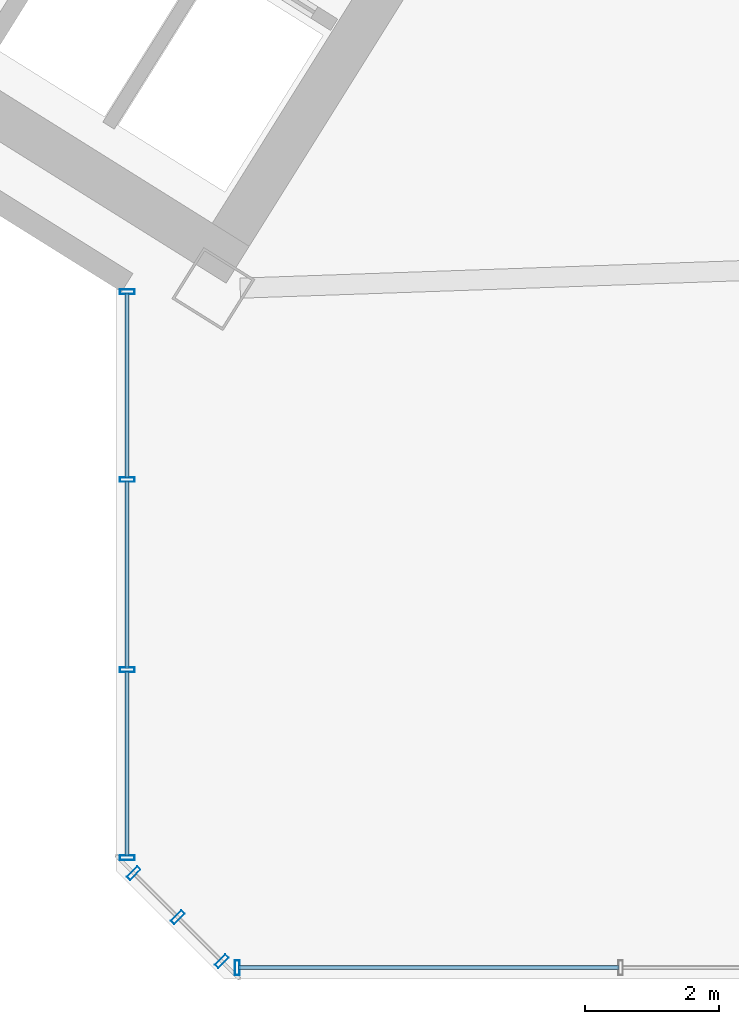
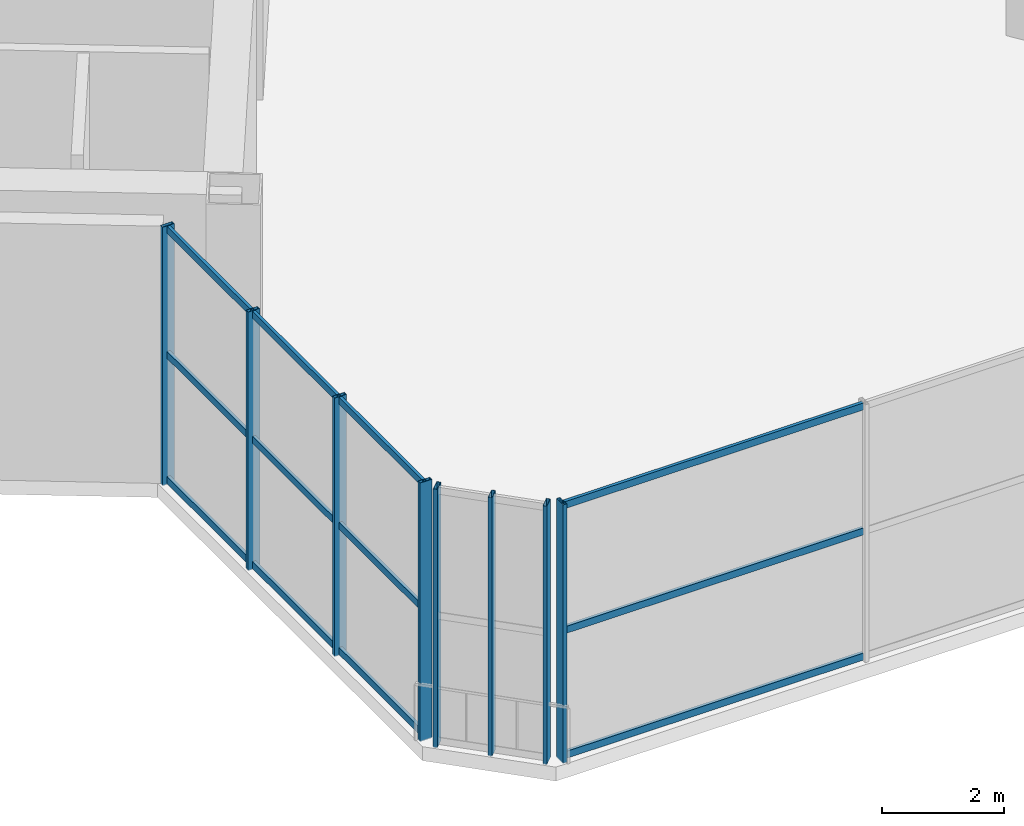
# One storey, part 4 of 21: 20 members, 3 elements without a shape of their own.
"""IFC4 building model written with IfcOpenShell, lengths in metres."""

from ifc_helpers import new_model, si_unit, direction, frame, origin, origin_2d, place, context, subcontext, project, spatial, hollow_rectangle, extrude, source, transform, mapped, material, material_profile, profile_set, type_object, element, aggregate, save


model = new_model("IFC4")

# Units and contexts
model_context = context("Model", 3, precision=1e-05, world=origin(), true_north=direction((0.0, 1.0)))
body_context = subcontext(model_context, "Body", "Model", "MODEL_VIEW")
ifc_project = project(units=[si_unit("LENGTHUNIT", "METRE"), si_unit("AREAUNIT", "SQUARE_METRE"), si_unit("VOLUMEUNIT", "CUBIC_METRE"), si_unit("PLANEANGLEUNIT", "RADIAN"), si_unit("MASSUNIT", "GRAM", prefix="KILO")], contexts=[model_context])

# Site, building, storey
site_placement = place(None, origin())
site = spatial("IfcSite", under=ifc_project, at=site_placement, CompositionType="ELEMENT")
building_placement = place(site_placement, origin())
building = spatial("IfcBuilding", under=site, at=building_placement, Name="Tlacorven Tower", CompositionType="ELEMENT")
storey_placement = place(building_placement, frame((0.0, 0.0, 84.60009765625)))
storey = spatial("IfcBuildingStorey", under=building, at=storey_placement, Name="L21", CompositionType="ELEMENT", Elevation=84.60009765625)

# Curtain wall, members
ifc_material_1 = material(Name="Dark solar low-E double glazing in aluminium frame", Category="aluminium")
curtain_wall_type = type_object("IfcCurtainWallType", Name="CW-TWR-LOW", PredefinedType="USERDEFINED", material=ifc_material_1)
curtain_wall_1_placement = place(storey_placement, origin())
curtain_wall_1 = element("IfcCurtainWall", 1, at=curtain_wall_1_placement, inside=storey, type_object=curtain_wall_type, Name="L21 CW-TWR-LOW Curtain Wall 112", ObjectType="UNITISED CURTAIN WALL", PredefinedType="USERDEFINED")
ifc_material_2 = material(Name="Aluminium 6063-T6 anodised", Category="aluminium")
ifc_material_profile_1 = material_profile(ifc_material_2, hollow_rectangle(XDim=0.06005859375, YDim=0.139892578125, WallThickness=0.00390625, at=origin_2d()), Name="ALU TRANSOM 60X140")
ifc_profile_set_1 = profile_set([ifc_material_profile_1], Name="Aluminium 6063-T6 anodised")
member_type_1 = type_object("IfcMemberType", Name="CWT-02", PredefinedType="USERDEFINED", material=ifc_profile_set_1)
shared_shape_1 = source(origin(), body_context, "Body", "SweptSolid", [
    extrude(hollow_rectangle(XDim=0.06005859375, YDim=0.139892578125, WallThickness=0.00390625, at=origin_2d()), origin(), (0.0, 0.0, 1.0), 5.6748046875),
])
member_1_placement = place(storey_placement, frame((39.09912109375, 1.9599609375, 0.06982421875), z_axis=(-1.0, 0.0, 0.0), x_axis=(0.0, -1.0, 0.0)))
member_1 = element("IfcMember", 2, at=member_1_placement, type_object=member_type_1, Name="CW-L21-112 Transom 7", ObjectType="TRANSOM", PredefinedType="USERDEFINED", context=body_context, shape_type="MappedRepresentation", body=[
    mapped(shared_shape_1, transform((0.0, 0.0, 0.0), scale=1.0)),
])
member_2_placement = place(storey_placement, frame((39.09912109375, 1.9599609375, 2.574951171875), z_axis=(-1.0, 0.0, 0.0), x_axis=(0.0, -1.0, 0.0)))
member_2 = element("IfcMember", 3, at=member_2_placement, type_object=member_type_1, Name="CW-L21-112 Transom 8", ObjectType="TRANSOM", PredefinedType="USERDEFINED", context=body_context, shape_type="MappedRepresentation", body=[
    mapped(shared_shape_1, transform((0.0, 0.0, 0.0), scale=1.0)),
])
member_3_placement = place(storey_placement, frame((39.09912109375, 1.9599609375, 5.079833984375), z_axis=(-1.0, 0.0, 0.0), x_axis=(0.0, -1.0, 0.0)))
member_3 = element("IfcMember", 4, at=member_3_placement, type_object=member_type_1, Name="CW-L21-112 Transom 9", ObjectType="TRANSOM", PredefinedType="USERDEFINED", context=body_context, shape_type="MappedRepresentation", body=[
    mapped(shared_shape_1, transform((0.0, 0.0, 0.0), scale=1.0)),
])

curtain_wall_2_placement = place(storey_placement, origin())
curtain_wall_2 = element("IfcCurtainWall", 5, at=curtain_wall_2_placement, inside=storey, type_object=curtain_wall_type, Name="L21 CW-TWR-LOW Curtain Wall 114", ObjectType="UNITISED CURTAIN WALL", PredefinedType="USERDEFINED")
shared_shape_2 = source(origin(), body_context, "Body", "SweptSolid", [
    extrude(hollow_rectangle(XDim=0.06005859375, YDim=0.139892578125, WallThickness=0.00390625, at=origin_2d()), origin(), (0.0, 0.0, 1.0), 2.7578125),
])
member_4_placement = place(storey_placement, frame((31.760009765625, 3.624267578125, 0.06982421875), z_axis=(0.0, 1.0, 0.0), x_axis=(-1.0, 0.0, 0.0)))
member_4 = element("IfcMember", 6, at=member_4_placement, type_object=member_type_1, Name="CW-L21-114 Transom 1", ObjectType="TRANSOM", PredefinedType="USERDEFINED", context=body_context, shape_type="MappedRepresentation", body=[
    mapped(shared_shape_2, transform((0.0, 0.0, 0.0), scale=1.0)),
])
member_5_placement = place(storey_placement, frame((31.760009765625, 3.624267578125, 2.574951171875), z_axis=(0.0, 1.0, 0.0), x_axis=(-1.0, 0.0, 0.0)))
member_5 = element("IfcMember", 7, at=member_5_placement, type_object=member_type_1, Name="CW-L21-114 Transom 2", ObjectType="TRANSOM", PredefinedType="USERDEFINED", context=body_context, shape_type="MappedRepresentation", body=[
    mapped(shared_shape_2, transform((0.0, 0.0, 0.0), scale=1.0)),
])
member_6_placement = place(storey_placement, frame((31.760009765625, 3.624267578125, 5.079833984375), z_axis=(0.0, 1.0, 0.0), x_axis=(-1.0, 0.0, 0.0)))
member_6 = element("IfcMember", 8, at=member_6_placement, type_object=member_type_1, Name="CW-L21-114 Transom 3", ObjectType="TRANSOM", PredefinedType="USERDEFINED", context=body_context, shape_type="MappedRepresentation", body=[
    mapped(shared_shape_2, transform((0.0, 0.0, 0.0), scale=1.0)),
])
shared_shape_3 = source(origin(), body_context, "Body", "SweptSolid", [
    extrude(hollow_rectangle(XDim=0.06005859375, YDim=0.139892578125, WallThickness=0.00390625, at=origin_2d()), origin(), (0.0, 0.0, 1.0), 2.79296875),
])
member_7_placement = place(storey_placement, frame((31.760009765625, 6.42822265625, 0.06982421875), z_axis=(0.0, 1.0, 0.0), x_axis=(-1.0, 0.0, 0.0)))
member_7 = element("IfcMember", 9, at=member_7_placement, type_object=member_type_1, Name="CW-L21-114 Transom 4", ObjectType="TRANSOM", PredefinedType="USERDEFINED", context=body_context, shape_type="MappedRepresentation", body=[
    mapped(shared_shape_3, transform((0.0, 0.0, 0.0), scale=1.0)),
])
member_8_placement = place(storey_placement, frame((31.760009765625, 6.42822265625, 2.574951171875), z_axis=(0.0, 1.0, 0.0), x_axis=(-1.0, 0.0, 0.0)))
member_8 = element("IfcMember", 10, at=member_8_placement, type_object=member_type_1, Name="CW-L21-114 Transom 5", ObjectType="TRANSOM", PredefinedType="USERDEFINED", context=body_context, shape_type="MappedRepresentation", body=[
    mapped(shared_shape_3, transform((0.0, 0.0, 0.0), scale=1.0)),
])
member_9_placement = place(storey_placement, frame((31.760009765625, 6.42822265625, 5.079833984375), z_axis=(0.0, 1.0, 0.0), x_axis=(-1.0, 0.0, 0.0)))
member_9 = element("IfcMember", 11, at=member_9_placement, type_object=member_type_1, Name="CW-L21-114 Transom 6", ObjectType="TRANSOM", PredefinedType="USERDEFINED", context=body_context, shape_type="MappedRepresentation", body=[
    mapped(shared_shape_3, transform((0.0, 0.0, 0.0), scale=1.0)),
])
shared_shape_4 = source(origin(), body_context, "Body", "SweptSolid", [
    extrude(hollow_rectangle(XDim=0.06005859375, YDim=0.139892578125, WallThickness=0.00390625, at=origin_2d()), origin(), (0.0, 0.0, 1.0), 2.758056640625),
])
member_10_placement = place(storey_placement, frame((31.760009765625, 9.26708984375, 0.06982421875), z_axis=(0.0, 1.0, 0.0), x_axis=(-1.0, 0.0, 0.0)))
member_10 = element("IfcMember", 12, at=member_10_placement, type_object=member_type_1, Name="CW-L21-114 Transom 7", ObjectType="TRANSOM", PredefinedType="USERDEFINED", context=body_context, shape_type="MappedRepresentation", body=[
    mapped(shared_shape_4, transform((0.0, 0.0, 0.0), scale=1.0)),
])
member_11_placement = place(storey_placement, frame((31.760009765625, 9.26708984375, 2.574951171875), z_axis=(0.0, 1.0, 0.0), x_axis=(-1.0, 0.0, 0.0)))
member_11 = element("IfcMember", 13, at=member_11_placement, type_object=member_type_1, Name="CW-L21-114 Transom 8", ObjectType="TRANSOM", PredefinedType="USERDEFINED", context=body_context, shape_type="MappedRepresentation", body=[
    mapped(shared_shape_4, transform((0.0, 0.0, 0.0), scale=1.0)),
])
member_12_placement = place(storey_placement, frame((31.760009765625, 9.26708984375, 5.079833984375), z_axis=(0.0, 1.0, 0.0), x_axis=(-1.0, 0.0, 0.0)))
member_12 = element("IfcMember", 14, at=member_12_placement, type_object=member_type_1, Name="CW-L21-114 Transom 9", ObjectType="TRANSOM", PredefinedType="USERDEFINED", context=body_context, shape_type="MappedRepresentation", body=[
    mapped(shared_shape_4, transform((0.0, 0.0, 0.0), scale=1.0)),
])

# Member
ifc_material_profile_2 = material_profile(ifc_material_2, hollow_rectangle(XDim=0.070068359375, YDim=0.219970703125, WallThickness=0.0048828125, at=origin_2d()), Name="ALU MULLION 70X220")
ifc_profile_set_2 = profile_set([ifc_material_profile_2], Name="Aluminium 6063-T6 anodised")
member_type_2 = type_object("IfcMemberType", Name="CWM-01", PredefinedType="MULLION", material=ifc_profile_set_2)
shared_shape_5 = source(origin(), body_context, "Body", "SweptSolid", [
    extrude(hollow_rectangle(XDim=0.070068359375, YDim=0.219970703125, WallThickness=0.0048828125, at=origin_2d()), origin(), (0.0, 0.0, 1.0), 5.179931640625),
])
member_13_placement = place(storey_placement, frame((33.4013671875, 1.9599609375, -0.02001953125), z_axis=(0.0, 0.0, 1.0), x_axis=(-1.0, 0.0, 0.0)))
member_13 = element("IfcMember", 15, at=member_13_placement, type_object=member_type_2, Name="CW-L21-112 Mullion 4", PredefinedType="MULLION", context=body_context, shape_type="MappedRepresentation", body=[
    mapped(shared_shape_5, transform((0.0, 0.0, 0.0), scale=1.0)),
])

aggregate(curtain_wall_1, [member_13, member_1, member_2, member_3])

# Curtain wall, members
curtain_wall_3_placement = place(storey_placement, origin())
curtain_wall_3 = element("IfcCurtainWall", 16, at=curtain_wall_3_placement, inside=storey, type_object=curtain_wall_type, Name="L21 CW-TWR-LOW Curtain Wall 113", ObjectType="UNITISED CURTAIN WALL", PredefinedType="USERDEFINED")
member_14_placement = place(storey_placement, frame((33.1708984375, 2.055419921875, -0.02001953125), z_axis=(0.0, 0.0, 1.0), x_axis=(-0.707106781187, 0.707106781187, 0.0)))
member_14 = element("IfcMember", 17, at=member_14_placement, type_object=member_type_2, Name="CW-L21-113 Mullion 1", PredefinedType="MULLION", context=body_context, shape_type="MappedRepresentation", body=[
    mapped(shared_shape_5, transform((0.0, 0.0, 0.0), scale=1.0)),
])
member_15_placement = place(storey_placement, frame((32.51318359375, 2.713134765625, -0.02001953125), z_axis=(0.0, 0.0, 1.0), x_axis=(-0.707106781187, 0.707106781187, 0.0)))
member_15 = element("IfcMember", 18, at=member_15_placement, type_object=member_type_2, Name="CW-L21-113 Mullion 2", PredefinedType="MULLION", context=body_context, shape_type="MappedRepresentation", body=[
    mapped(shared_shape_5, transform((0.0, 0.0, 0.0), scale=1.0)),
])
member_16_placement = place(storey_placement, frame((31.85546875, 3.370849609375, -0.02001953125), z_axis=(0.0, 0.0, 1.0), x_axis=(-0.707106781187, 0.707106781187, 0.0)))
member_16 = element("IfcMember", 19, at=member_16_placement, type_object=member_type_2, Name="CW-L21-113 Mullion 3", PredefinedType="MULLION", context=body_context, shape_type="MappedRepresentation", body=[
    mapped(shared_shape_5, transform((0.0, 0.0, 0.0), scale=1.0)),
])
aggregate(curtain_wall_3, [member_14, member_15, member_16])

# Member
member_17_placement = place(storey_placement, frame((31.760009765625, 3.601318359375, -0.02001953125), z_axis=(0.0, 0.0, 1.0), x_axis=(0.0, 1.0, 0.0)))
member_17 = element("IfcMember", 20, at=member_17_placement, type_object=member_type_2, Name="CW-L21-114 Mullion 1", PredefinedType="MULLION", context=body_context, shape_type="MappedRepresentation", body=[
    mapped(shared_shape_5, transform((0.0, 0.0, 0.0), scale=1.0)),
])

member_18_placement = place(storey_placement, frame((31.760009765625, 6.4052734375, -0.02001953125), z_axis=(0.0, 0.0, 1.0), x_axis=(0.0, 1.0, 0.0)))
member_18 = element("IfcMember", 21, at=member_18_placement, type_object=member_type_2, Name="CW-L21-114 Mullion 2", PredefinedType="MULLION", context=body_context, shape_type="MappedRepresentation", body=[
    mapped(shared_shape_5, transform((0.0, 0.0, 0.0), scale=1.0)),
])

member_19_placement = place(storey_placement, frame((31.760009765625, 9.244140625, -0.02001953125), z_axis=(0.0, 0.0, 1.0), x_axis=(0.0, 1.0, 0.0)))
member_19 = element("IfcMember", 22, at=member_19_placement, type_object=member_type_2, Name="CW-L21-114 Mullion 3", PredefinedType="MULLION", context=body_context, shape_type="MappedRepresentation", body=[
    mapped(shared_shape_5, transform((0.0, 0.0, 0.0), scale=1.0)),
])

member_20_placement = place(storey_placement, frame((31.760009765625, 12.048095703125, -0.02001953125), z_axis=(0.0, 0.0, 1.0), x_axis=(0.0, 1.0, 0.0)))
member_20 = element("IfcMember", 23, at=member_20_placement, type_object=member_type_2, Name="CW-L21-114 Mullion 4", PredefinedType="MULLION", context=body_context, shape_type="MappedRepresentation", body=[
    mapped(shared_shape_5, transform((0.0, 0.0, 0.0), scale=1.0)),
])

aggregate(curtain_wall_2, [member_17, member_18, member_19, member_20, member_4, member_5, member_6, member_7, member_8, member_9, member_10, member_11, member_12])

save(model, "model.ifc")
